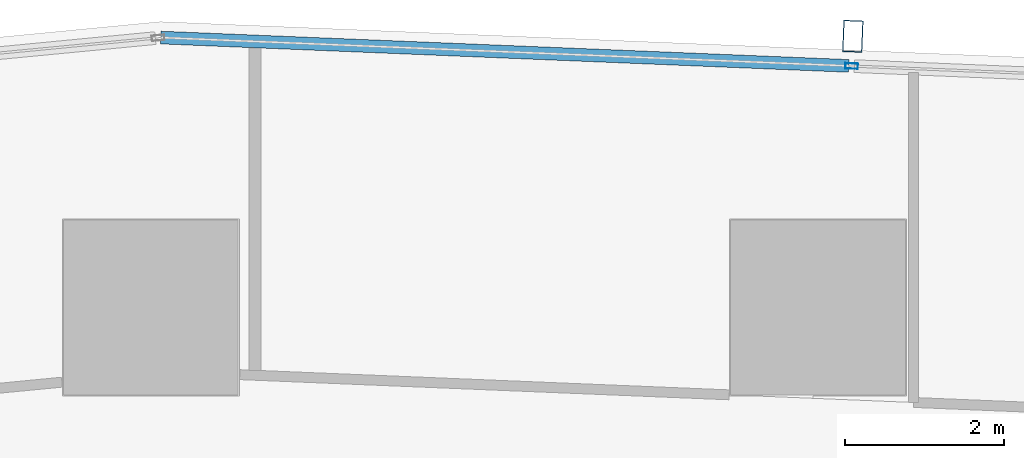
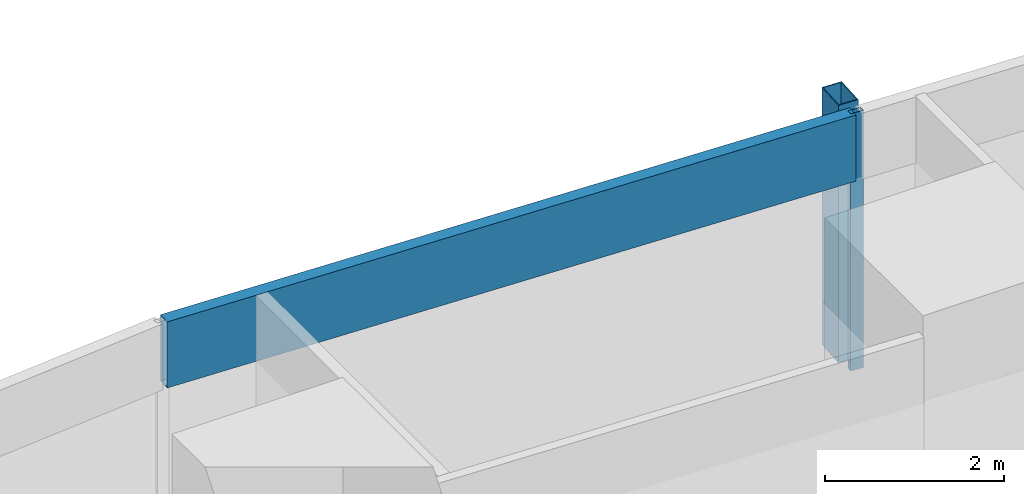
# One storey, part 18 of 45: 3 members, 1 element without a shape of its own.
"""IFC4 building model written with IfcOpenShell, lengths in metres."""

import ifcopenshell
import ifcopenshell.guid

model = None  # the IFC model being written
_history = None  # IfcOwnerHistory: only IFC2X3 demands one
_inside = {}  # id of a spatial element -> (the spatial element, [elements in it])
_under = {}  # id of a project, library or spatial element -> (it, [spatial elements below it])
_declared = {}  # id of a project -> (the project, [libraries it declares])
_typed = {}  # id of a type object -> (the type object, [elements of that type])
_made_of = {}  # id of a material, layer set ... -> (it, [elements and type objects made of it])


def new_model(schema):
    """Start an empty IFC model of exactly this schema.

    Asked for "IFC4X3", IfcOpenShell would pick the latest addendum, in which some entities
    have other attributes; the version numbers below select the first issue.
    IFC2X3 requires an IfcOwnerHistory on every rooted entity: one is made here for all.
    """
    global model, _history
    if schema == "IFC4X3":
        model = ifcopenshell.file(schema_version=(4, 3, 0, 0))
    else:
        model = ifcopenshell.file(schema=schema)
    _inside.clear()
    _under.clear()
    _declared.clear()
    _typed.clear()
    _made_of.clear()
    _history = None
    if model.schema == "IFC2X3":
        org = make("IfcOrganization", Name="unknown")
        user = make(
            "IfcPersonAndOrganization",
            ThePerson=make("IfcPerson", FamilyName="unknown"),
            TheOrganization=org,
        )
        app = make(
            "IfcApplication",
            ApplicationDeveloper=org,
            Version="unknown",
            ApplicationFullName="unknown",
            ApplicationIdentifier="unknown",
        )
        _history = make(
            "IfcOwnerHistory",
            OwningUser=user,
            OwningApplication=app,
            ChangeAction="ADDED",
            CreationDate=0,
        )
    return model


def make(cls, **values):
    """One entity of the class cls with the attributes given. An attribute that is None is left unset."""
    return model.create_entity(
        cls, **{name: value for name, value in values.items() if value is not None}
    )


def rooted(cls, **values):
    """An entity with a GlobalId (a new one), such as an element, a storey or a relation."""
    return make(cls, GlobalId=ifcopenshell.guid.new(), OwnerHistory=_history, **values)


def si_unit(unit_type, name, prefix=None):
    """IfcSIUnit, for example si_unit("LENGTHUNIT", "METRE", prefix="MILLI")."""
    return make("IfcSIUnit", UnitType=unit_type, Prefix=prefix, Name=name)


def assignment(units):
    """IfcUnitAssignment: the units of a project."""
    return None if units is None else make("IfcUnitAssignment", Units=units)


def point(xyz):
    """IfcCartesianPoint."""
    return None if xyz is None else make("IfcCartesianPoint", Coordinates=xyz)


def direction(xyz):
    """IfcDirection."""
    return None if xyz is None else make("IfcDirection", DirectionRatios=xyz)


def frame(location, z_axis=None, x_axis=None):
    """IfcAxis2Placement3D, a coordinate frame: its origin and axes. An axis left out is left unset."""
    return make(
        "IfcAxis2Placement3D",
        Location=point(location),
        Axis=direction(z_axis),
        RefDirection=direction(x_axis),
    )


def frame_2d(location, x_axis=None):
    """IfcAxis2Placement2D, a coordinate frame in the plane: its origin and x axis."""
    return make(
        "IfcAxis2Placement2D", Location=point(location), RefDirection=direction(x_axis)
    )


def origin():
    """The frame at (0, 0, 0) with its axes left unset."""
    return frame((0.0, 0.0, 0.0))


def origin_2d():
    """The frame at (0, 0) in the plane with its x axis left unset."""
    return frame_2d((0.0, 0.0))


def place(relative_to, where):
    """IfcLocalPlacement: puts the frame where relative to a parent placement (None: the world)."""
    return make(
        "IfcLocalPlacement", PlacementRelTo=relative_to, RelativePlacement=where
    )


def context(
    kind, dimensions, precision=None, world=None, true_north=None, identifier=None
):
    """IfcGeometricRepresentationContext, for example the 3D "Model" context."""
    return make(
        "IfcGeometricRepresentationContext",
        ContextIdentifier=identifier,
        ContextType=kind,
        CoordinateSpaceDimension=dimensions,
        Precision=precision,
        WorldCoordinateSystem=world,
        TrueNorth=true_north,
    )


def subcontext(parent, identifier, kind, view, scale=None):
    """IfcGeometricRepresentationSubContext, for example "Body" below "Model"."""
    return make(
        "IfcGeometricRepresentationSubContext",
        ContextIdentifier=identifier,
        ContextType=kind,
        ParentContext=parent,
        TargetScale=scale,
        TargetView=view,
    )


def project(units=None, contexts=None):
    """IfcProject with its units and contexts."""
    return rooted(
        "IfcProject",
        Name="project",
        RepresentationContexts=contexts,
        UnitsInContext=assignment(units),
    )


def spatial(cls, under=None, at=None, **own):
    """A site, building, storey or space (cls), placed at a placement, below another one or the project."""
    s = rooted(cls, ObjectPlacement=at, **own)
    if under is not None:
        _under.setdefault(under.id(), (under, []))[1].append(s)
    return s


def profile(cls, at=None, kind="AREA", **sizes):
    """A parametric profile (cls). Its sizes go by their IFC names, for example OverallWidth=200.0."""
    return make(cls, ProfileType=kind, Position=at, **sizes)


def hollow_rectangle(**sizes):
    """IfcRectangleHollowProfileDef."""
    return profile("IfcRectangleHollowProfileDef", **sizes)


def extrude(swept, where, along, depth):
    """IfcExtrudedAreaSolid: the profile swept, set in the frame where, extruded along a direction by depth."""
    return make(
        "IfcExtrudedAreaSolid",
        SweptArea=swept,
        Position=where,
        ExtrudedDirection=direction(along),
        Depth=depth,
    )


def shape(context_of_items, identifier, shape_type, items):
    """IfcShapeRepresentation: the items that make up one representation, for example the "Body"."""
    return make(
        "IfcShapeRepresentation",
        ContextOfItems=context_of_items,
        RepresentationIdentifier=identifier,
        RepresentationType=shape_type,
        Items=items,
    )


def material(Name=None, Category=None):
    """IfcMaterial."""
    return make("IfcMaterial", Name=Name, Category=Category)


def material_profile(
    of_material, cross_section, Name=None, Category=None, Priority=None
):
    """IfcMaterialProfile: a cross section and its material."""
    return make(
        "IfcMaterialProfile",
        Name=Name,
        Material=of_material,
        Profile=cross_section,
        Priority=Priority,
        Category=Category,
    )


def profile_set(profiles, Name=None, composite=None):
    """IfcMaterialProfileSet."""
    return make(
        "IfcMaterialProfileSet",
        Name=Name,
        MaterialProfiles=profiles,
        CompositeProfile=composite,
    )


def made_of(thing, what):
    """Note that an element or type object is made of a material, layer set ...; save() writes the relation."""
    if what is not None:
        _made_of.setdefault(what.id(), (what, []))[1].append(thing)
    return thing


def type_object(cls, material=None, **own):
    """A type object (cls), such as IfcWallType, which elements share."""
    return made_of(rooted(cls, **own), material)


def element(
    cls,
    number,
    at=None,
    inside=None,
    cuts=None,
    type_object=None,
    material=None,
    context=None,
    identifier="Body",
    shape_type=None,
    held_by="IfcProductDefinitionShape",
    body=None,
    shapes=None,
    **own,
):
    """One element of the class cls, such as IfcWall. Its Tag is "e" and its number.

    at: its placement. inside: the storey or other place that contains it. cuts: it is an
    opening in that element (IfcRelVoidsElement). A single representation is given by context,
    identifier, shape_type and body (its items); several are given by shapes. held_by: the class
    of the entity that holds the representations. save() writes the other relations.
    """
    e = rooted(cls, Tag="e%d" % number, ObjectPlacement=at, **own)
    if body is not None:
        shapes = [shape(context, identifier, shape_type, body)]
    if shapes is not None:
        e.Representation = make(held_by, Representations=shapes)
    if inside is not None:
        _inside.setdefault(inside.id(), (inside, []))[1].append(e)
    if cuts is not None:
        rooted(
            "IfcRelVoidsElement", RelatingBuildingElement=cuts, RelatedOpeningElement=e
        )
    if type_object is not None:
        _typed.setdefault(type_object.id(), (type_object, []))[1].append(e)
    return made_of(e, material)


def aggregate(whole, parts):
    """IfcRelAggregates: a whole, such as a stair, and the parts it consists of."""
    return rooted("IfcRelAggregates", RelatingObject=whole, RelatedObjects=parts)


def save(model, path):
    """Write the relations noted so far, then the file.

    IfcRelAggregates (storeys below a building ...), IfcRelContainedInSpatialStructure (elements
    in a storey), IfcRelDefinesByType, IfcRelAssociatesMaterial and IfcRelDeclares: one each for
    every whole, place, type object, material and project.
    """
    for whole, parts in _under.values():
        aggregate(whole, parts)
    for where, things in _inside.values():
        rooted(
            "IfcRelContainedInSpatialStructure",
            RelatedElements=things,
            RelatingStructure=where,
        )
    for kind, things in _typed.values():
        rooted("IfcRelDefinesByType", RelatedObjects=things, RelatingType=kind)
    for what, things in _made_of.values():
        rooted("IfcRelAssociatesMaterial", RelatedObjects=things, RelatingMaterial=what)
    for by, libraries in _declared.values():
        rooted("IfcRelDeclares", RelatingContext=by, RelatedDefinitions=libraries)
    model.write(path)


model = new_model("IFC4")

# Units and contexts
model_context = context("Model", 3, precision=1e-05, world=origin(), true_north=direction((0.0, 1.0)))
body_context = subcontext(model_context, "Body", "Model", "MODEL_VIEW")
ifc_project = project(units=[si_unit("LENGTHUNIT", "METRE"), si_unit("AREAUNIT", "SQUARE_METRE"), si_unit("VOLUMEUNIT", "CUBIC_METRE"), si_unit("PLANEANGLEUNIT", "RADIAN"), si_unit("MASSUNIT", "GRAM", prefix="KILO")], contexts=[model_context])

# Site, building, storey
site_placement = place(None, origin())
site = spatial("IfcSite", under=ifc_project, at=site_placement, CompositionType="ELEMENT")
building_placement = place(site_placement, origin())
building = spatial("IfcBuilding", under=site, at=building_placement, Name="Rekha Terrace Tower", CompositionType="ELEMENT")
storey_placement = place(building_placement, frame((0.0, 0.0, 44.14990234375)))
storey = spatial("IfcBuildingStorey", under=building, at=storey_placement, Name="L10", CompositionType="ELEMENT", Elevation=44.14990234375)

# Curtain wall, members
ifc_material_1 = material(Name="Aluminium framing", Category="aluminium")
curtain_wall_type = type_object("IfcCurtainWallType", Name="CW3 north unitised glazing", PredefinedType="USERDEFINED", material=ifc_material_1)
curtain_wall_placement = place(storey_placement, origin())
curtain_wall = element("IfcCurtainWall", 1, at=curtain_wall_placement, inside=storey, type_object=curtain_wall_type, Name="CW3 unitised curtain wall", ObjectType="UNITISED CURTAIN WALL", PredefinedType="USERDEFINED")
ifc_material_2 = material(Name="Steel S355 with fluorocarbon finish", Category="steel")
ifc_material_profile_1 = material_profile(ifc_material_2, hollow_rectangle(XDim=0.25, YDim=0.39990234375, WallThickness=0.012451171875, at=origin_2d()), Name="RHS400x250x12.5")
ifc_profile_set_1 = profile_set([ifc_material_profile_1], Name="Steel S355 with fluorocarbon finish")
member_type_1 = type_object("IfcMemberType", Name="BL1 facade blade RHS 400 x 250", PredefinedType="USERDEFINED", material=ifc_profile_set_1)
member_1_placement = place(storey_placement, frame((34.037353515625, 62.2158203125, 0.0), z_axis=(0.0, 0.0, 1.0), x_axis=(-0.99915196507, 0.041174636562, 0.0)))
member_1 = element("IfcMember", 2, at=member_1_placement, type_object=member_type_1, Name="Facade blade", ObjectType="FACADE BLADE", PredefinedType="USERDEFINED", context=body_context, shape_type="SweptSolid", body=[
    extrude(hollow_rectangle(XDim=0.25, YDim=0.39990234375, WallThickness=0.012451171875, at=origin_2d()), origin(), (0.0, 0.0, 1.0), 3.5),
])
ifc_material_3 = material(Name="Aluminium mullion section", Category="aluminium")
ifc_material_profile_2 = material_profile(ifc_material_3, hollow_rectangle(XDim=0.070068359375, YDim=0.159912109375, WallThickness=0.00390625, at=origin_2d()), Name="AL RHS 70x160")
ifc_profile_set_2 = profile_set([ifc_material_profile_2], Name="Aluminium mullion section")
member_type_2 = type_object("IfcMemberType", Name="CW3 mullion RHS 70 x 160", PredefinedType="MULLION", material=ifc_profile_set_2)
member_2_placement = place(storey_placement, frame((34.02197265625, 61.84130859375, 0.0), z_axis=(0.0, 0.0, 1.0), x_axis=(-0.041173846041, -0.999151997647, 0.0)))
member_2 = element("IfcMember", 3, at=member_2_placement, type_object=member_type_2, Name="CW3 mullion 5", PredefinedType="MULLION", context=body_context, shape_type="SweptSolid", body=[
    extrude(hollow_rectangle(XDim=0.070068359375, YDim=0.159912109375, WallThickness=0.00390625, at=origin_2d()), origin(), (0.0, 0.0, 1.0), 3.5),
])
ifc_material_4 = material(Name="Insulated aluminium spandrel box", Category="aluminium")
ifc_material_profile_3 = material_profile(ifc_material_4, hollow_rectangle(XDim=0.159912109375, YDim=0.89990234375, WallThickness=0.0029296875, at=origin_2d()), Name="AL SPANDREL BOX 160x900")
ifc_profile_set_3 = profile_set([ifc_material_profile_3], Name="Insulated aluminium spandrel box")
member_type_3 = type_object("IfcMemberType", Name="CW3 spandrel transom 160 x 900", PredefinedType="USERDEFINED", material=ifc_profile_set_3)
member_3_placement = place(storey_placement, frame((33.987060546875, 61.8427734375, 3.050048828125), z_axis=(-0.999152004012, 0.04117369158, 0.0), x_axis=(-0.04117369158, -0.999152004012, 0.0)))
member_3 = element("IfcMember", 4, at=member_3_placement, type_object=member_type_3, Name="CW3 spandrel transom 5", ObjectType="TRANSOM", PredefinedType="USERDEFINED", context=body_context, shape_type="SweptSolid", body=[
    extrude(hollow_rectangle(XDim=0.159912109375, YDim=0.89990234375, WallThickness=0.0029296875, at=origin_2d()), origin(), (0.0, 0.0, 1.0), 8.6689453125),
])
aggregate(curtain_wall, [member_2, member_3, member_1])

save(model, "model.ifc")
